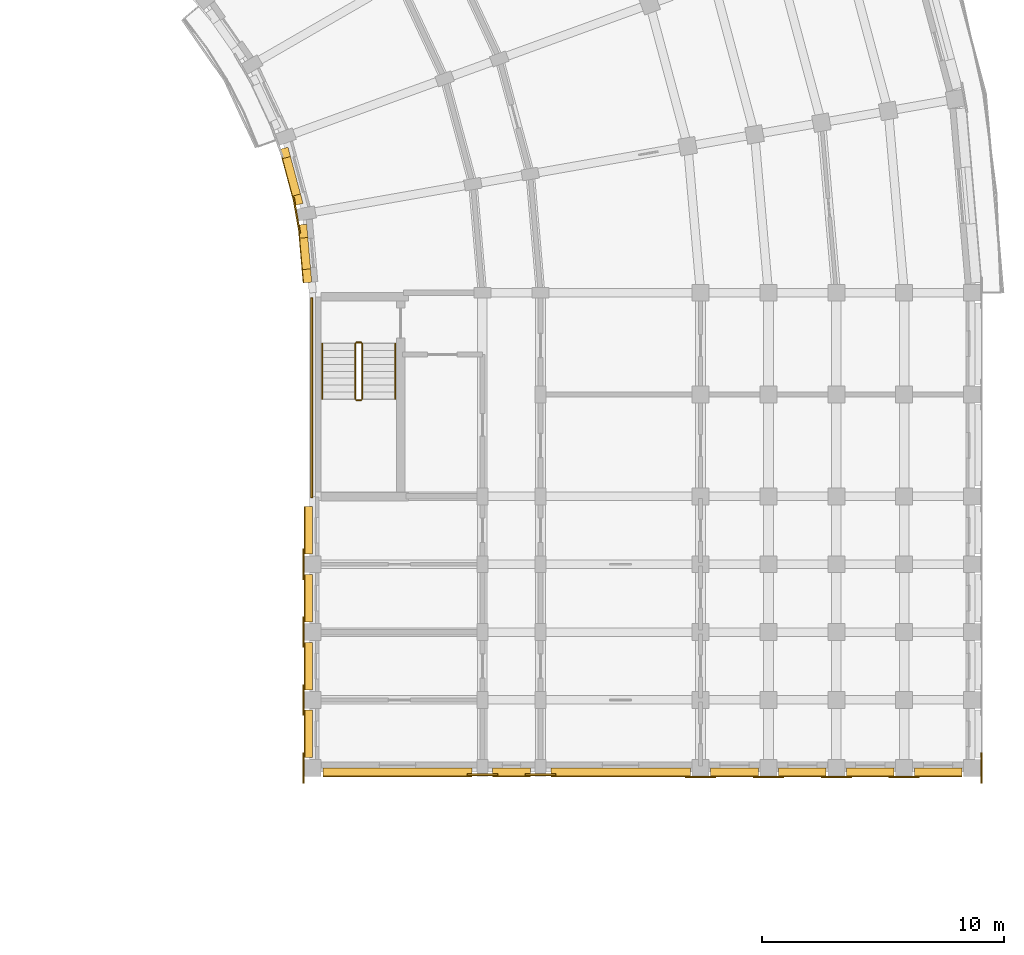
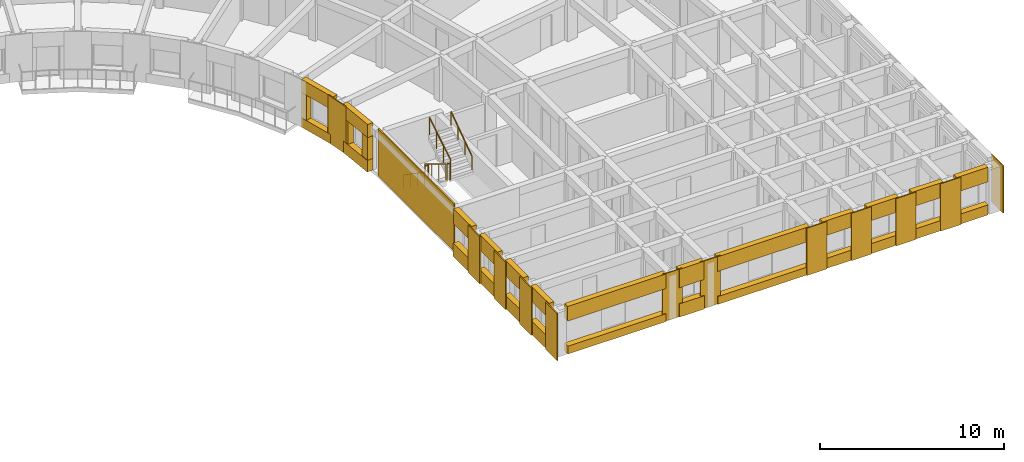
# One storey, part 53 of 57: 43 coverings, 6 railings.
"""IFC4 building model written with IfcOpenShell, lengths in metres."""

from ifc_helpers import new_model, si_unit, direction, frame, origin, origin_2d, place, context, subcontext, project, spatial, polyline, circle, outline, extrude, material, layer, layer_set, type_object, element, save


model = new_model("IFC4")

# Units and contexts
model_context = context("Model", 3, precision=1e-05, world=origin(), true_north=direction((0.0, 1.0)))
body_context = subcontext(model_context, "Body", "Model", "MODEL_VIEW")
ifc_project = project(units=[si_unit("LENGTHUNIT", "METRE"), si_unit("AREAUNIT", "SQUARE_METRE"), si_unit("VOLUMEUNIT", "CUBIC_METRE"), si_unit("PLANEANGLEUNIT", "RADIAN"), si_unit("MASSUNIT", "GRAM", prefix="KILO")], contexts=[model_context])

# Site, building, storey
site_placement = place(None, origin())
site = spatial("IfcSite", under=ifc_project, at=site_placement, CompositionType="ELEMENT")
building_placement = place(site_placement, origin())
building = spatial("IfcBuilding", under=site, at=building_placement, Name="Kiranvali Square Residences", CompositionType="ELEMENT")
storey_placement = place(building_placement, frame((0.0, 0.0, 21.300048828125)))
storey = spatial("IfcBuildingStorey", under=building, at=storey_placement, Name="L06", CompositionType="ELEMENT", Elevation=21.300048828125)

# Coverings
ifc_material_1 = material(Name="Honed Porbandar limestone ashlar facade cladding", Category="masonry")
ifc_layer_1 = layer(ifc_material_1, 0.3798828125)
ifc_layer_set_1 = layer_set([ifc_layer_1], Name="Honed Porbandar limestone ashlar facade cladding")
covering_type_1 = type_object("IfcCoveringType", Name="COV-CLAD-JAMB", PredefinedType="CLADDING", material=ifc_layer_set_1)
covering_1_placement = place(storey_placement, frame((0.0, 0.0, 0.6220703125)))
element("IfcCovering", 1, at=covering_1_placement, inside=storey, type_object=covering_type_1, Name="L06 deep limestone window jamb reveal B-L06-GDN-07.L", PredefinedType="CLADDING", context=body_context, shape_type="SweptSolid", body=[
    extrude(outline(polyline([(137.251708984375, 93.717041015625), (137.354736328125, 93.33203125), (137.682861328125, 93.419921875), (137.57958984375, 93.804931640625), (137.251708984375, 93.717041015625)])), origin(), (0.0, 0.0, 1.0), 1.64990234375),
])
covering_2_placement = place(storey_placement, frame((0.0, 0.0, 0.6220703125)))
element("IfcCovering", 2, at=covering_2_placement, inside=storey, type_object=covering_type_1, Name="L06 deep limestone window jamb reveal B-L06-GDN-07.R", PredefinedType="CLADDING", context=body_context, shape_type="SweptSolid", body=[
    extrude(outline(polyline([(137.76904296875, 91.78662109375), (137.8720703125, 91.401611328125), (138.199951171875, 91.489501953125), (138.096923828125, 91.87451171875), (137.76904296875, 91.78662109375)])), origin(), (0.0, 0.0, 1.0), 1.64990234375),
])
covering_3_placement = place(storey_placement, frame((0.0, 0.0, 0.77197265625)))
element("IfcCovering", 3, at=covering_3_placement, inside=storey, type_object=covering_type_1, Name="L06 deep limestone window jamb reveal B-L06-GDN-08.L", PredefinedType="CLADDING", context=body_context, shape_type="SweptSolid", body=[
    extrude(outline(polyline([(138.013916015625, 90.5966796875), (138.061767578125, 90.05029296875), (138.400146484375, 90.079833984375), (138.352294921875, 90.626220703125), (138.013916015625, 90.5966796875)])), origin(), (0.0, 0.0, 1.0), 1.5),
])
covering_4_placement = place(storey_placement, frame((0.0, 0.0, 0.77197265625)))
element("IfcCovering", 4, at=covering_4_placement, inside=storey, type_object=covering_type_1, Name="L06 deep limestone window jamb reveal B-L06-GDN-08.R", PredefinedType="CLADDING", context=body_context, shape_type="SweptSolid", body=[
    extrude(outline(polyline([(138.175048828125, 88.755126953125), (138.222900390625, 88.208740234375), (138.56103515625, 88.23828125), (138.513427734375, 88.78466796875), (138.175048828125, 88.755126953125)])), origin(), (0.0, 0.0, 1.0), 1.5),
])
ifc_layer_2 = layer(ifc_material_1, 0.06494140625)
ifc_layer_set_2 = layer_set([ifc_layer_2], Name="Honed Porbandar limestone ashlar facade cladding")
covering_type_2 = type_object("IfcCoveringType", Name="COV-CLAD-PIER", PredefinedType="CLADDING", material=ifc_layer_set_2)
covering_5_placement = place(storey_placement, frame((0.0, 0.0, 0.0048828125)))
element("IfcCovering", 5, at=covering_5_placement, inside=storey, type_object=covering_type_2, Name="L06 Classical limestone pilaster casing CLAD-PR-B-L06-V196", PredefinedType="CLADDING", context=body_context, shape_type="SweptSolid", body=[
    extrude(outline(polyline([(166.150390625, 68.830078125), (166.150390625, 67.570068359375), (166.218017578125, 67.570068359375), (166.218017578125, 68.830078125), (166.150390625, 68.830078125)])), origin(), (0.0, 0.0, 1.0), 3.14013671875),
])
covering_6_placement = place(storey_placement, frame((0.0, 0.0, 0.0048828125)))
element("IfcCovering", 6, at=covering_6_placement, inside=storey, type_object=covering_type_2, Name="Block B L06 Arm 2 stair limestone ashlar cladding", PredefinedType="CLADDING", context=body_context, shape_type="SweptSolid", body=[
    extrude(outline(polyline([(138.52001953125, 87.60009765625), (138.52001953125, 79.35009765625), (138.597900390625, 79.35009765625), (138.597900390625, 87.60009765625), (138.52001953125, 87.60009765625)])), origin(), (0.0, 0.0, 1.0), 3.14013671875),
])
ifc_layer_3 = layer(ifc_material_1, 0.050048828125)
ifc_layer_set_3 = layer_set([ifc_layer_3], Name="Honed Porbandar limestone ashlar facade cladding")
covering_type_3 = type_object("IfcCoveringType", Name="COV-CLAD-PIER-IN", PredefinedType="CLADDING", material=ifc_layer_set_3)
covering_7_placement = place(storey_placement, frame((0.0, 0.0, 0.0048828125)))
element("IfcCovering", 7, at=covering_7_placement, inside=storey, type_object=covering_type_3, Name="L06 Classical garden courtyard pilaster CLAD-PRIN-B-L06-A08", PredefinedType="CLADDING", context=body_context, shape_type="SweptSolid", body=[
    extrude(outline(polyline([(137.7724609375, 91.730712890625), (138.032958984375, 90.25341796875), (138.099365234375, 90.26513671875), (137.8388671875, 91.742431640625), (137.7724609375, 91.730712890625)])), origin(), (0.0, 0.0, 1.0), 3.14013671875),
])
covering_8_placement = place(storey_placement, frame((0.0, 0.0, 0.0048828125)))
element("IfcCovering", 8, at=covering_8_placement, inside=storey, type_object=covering_type_3, Name="L06 Classical limestone pilaster casing CLAD-PRA2I-B-L06-V112", PredefinedType="CLADDING", context=body_context, shape_type="SweptSolid", body=[
    extrude(outline(polyline([(138.181884765625, 77.22998046875), (138.181884765625, 75.969970703125), (138.24951171875, 75.969970703125), (138.24951171875, 77.22998046875), (138.181884765625, 77.22998046875)])), origin(), (0.0, 0.0, 1.0), 3.14013671875),
])
covering_9_placement = place(storey_placement, frame((0.0, 0.0, 0.0048828125)))
element("IfcCovering", 9, at=covering_9_placement, inside=storey, type_object=covering_type_3, Name="L06 Classical limestone pilaster casing CLAD-PRA2I-B-L06-V140", PredefinedType="CLADDING", context=body_context, shape_type="SweptSolid", body=[
    extrude(outline(polyline([(138.181884765625, 74.429931640625), (138.181884765625, 73.169921875), (138.24951171875, 73.169921875), (138.24951171875, 74.429931640625), (138.181884765625, 74.429931640625)])), origin(), (0.0, 0.0, 1.0), 3.14013671875),
])
covering_10_placement = place(storey_placement, frame((0.0, 0.0, 0.0048828125)))
element("IfcCovering", 10, at=covering_10_placement, inside=storey, type_object=covering_type_3, Name="L06 Classical limestone pilaster casing CLAD-PRA2I-B-L06-V167", PredefinedType="CLADDING", context=body_context, shape_type="SweptSolid", body=[
    extrude(outline(polyline([(138.181884765625, 71.6298828125), (138.181884765625, 70.3701171875), (138.24951171875, 70.3701171875), (138.24951171875, 71.6298828125), (138.181884765625, 71.6298828125)])), origin(), (0.0, 0.0, 1.0), 3.14013671875),
])
covering_11_placement = place(storey_placement, frame((0.0, 0.0, 0.0048828125)))
element("IfcCovering", 11, at=covering_11_placement, inside=storey, type_object=covering_type_3, Name="L06 Classical limestone pilaster casing CLAD-PRA2I-B-L06-V196", PredefinedType="CLADDING", context=body_context, shape_type="SweptSolid", body=[
    extrude(outline(polyline([(138.181884765625, 68.830078125), (138.181884765625, 67.570068359375), (138.24951171875, 67.570068359375), (138.24951171875, 68.830078125), (138.181884765625, 68.830078125)])), origin(), (0.0, 0.0, 1.0), 3.14013671875),
])
ifc_layer_4 = layer(ifc_material_1, 0.054931640625)
ifc_layer_set_4 = layer_set([ifc_layer_4], Name="Honed Porbandar limestone ashlar facade cladding")
covering_type_4 = type_object("IfcCoveringType", Name="COV-CLAD-PIER-UP", PredefinedType="CLADDING", material=ifc_layer_set_4)
covering_12_placement = place(storey_placement, frame((0.0, 0.0, 0.0048828125)))
element("IfcCovering", 12, at=covering_12_placement, inside=storey, type_object=covering_type_4, Name="L06 Classical limestone pilaster casing CLAD-PRA2E-B-L06-R258", PredefinedType="CLADDING", context=body_context, shape_type="SweptSolid", body=[
    extrude(outline(polyline([(144.969970703125, 67.882080078125), (146.22998046875, 67.882080078125), (146.22998046875, 67.949462890625), (144.969970703125, 67.949462890625), (144.969970703125, 67.882080078125)])), origin(), (0.0, 0.0, 1.0), 3.14013671875),
])
covering_13_placement = place(storey_placement, frame((0.0, 0.0, 0.0048828125)))
element("IfcCovering", 13, at=covering_13_placement, inside=storey, type_object=covering_type_4, Name="L06 Classical limestone pilaster casing CLAD-PRA2E-B-L06-R282", PredefinedType="CLADDING", context=body_context, shape_type="SweptSolid", body=[
    extrude(outline(polyline([(147.3701171875, 67.882080078125), (148.6298828125, 67.882080078125), (148.6298828125, 67.949462890625), (147.3701171875, 67.949462890625), (147.3701171875, 67.882080078125)])), origin(), (0.0, 0.0, 1.0), 3.14013671875),
])
covering_14_placement = place(storey_placement, frame((0.0, 0.0, 0.0048828125)))
element("IfcCovering", 14, at=covering_14_placement, inside=storey, type_object=covering_type_4, Name="L06 Classical limestone pilaster casing CLAD-PRA2E-B-L06-R348", PredefinedType="CLADDING", context=body_context, shape_type="SweptSolid", body=[
    extrude(outline(polyline([(153.969970703125, 67.781982421875), (155.22998046875, 67.781982421875), (155.22998046875, 67.849609375), (153.969970703125, 67.849609375), (153.969970703125, 67.781982421875)])), origin(), (0.0, 0.0, 1.0), 3.14013671875),
])
covering_15_placement = place(storey_placement, frame((0.0, 0.0, 0.0048828125)))
element("IfcCovering", 15, at=covering_15_placement, inside=storey, type_object=covering_type_4, Name="L06 Classical limestone pilaster casing CLAD-PRA2E-B-L06-R376", PredefinedType="CLADDING", context=body_context, shape_type="SweptSolid", body=[
    extrude(outline(polyline([(156.77001953125, 67.781982421875), (158.030029296875, 67.781982421875), (158.030029296875, 67.849609375), (156.77001953125, 67.849609375), (156.77001953125, 67.781982421875)])), origin(), (0.0, 0.0, 1.0), 3.14013671875),
])
covering_16_placement = place(storey_placement, frame((0.0, 0.0, 0.0048828125)))
element("IfcCovering", 16, at=covering_16_placement, inside=storey, type_object=covering_type_4, Name="L06 Classical limestone pilaster casing CLAD-PRA2E-B-L06-R404", PredefinedType="CLADDING", context=body_context, shape_type="SweptSolid", body=[
    extrude(outline(polyline([(159.570068359375, 67.781982421875), (160.830078125, 67.781982421875), (160.830078125, 67.849609375), (159.570068359375, 67.849609375), (159.570068359375, 67.781982421875)])), origin(), (0.0, 0.0, 1.0), 3.14013671875),
])
covering_17_placement = place(storey_placement, frame((0.0, 0.0, 0.0048828125)))
element("IfcCovering", 17, at=covering_17_placement, inside=storey, type_object=covering_type_4, Name="L06 Classical limestone pilaster casing CLAD-PRA2E-B-L06-R432", PredefinedType="CLADDING", context=body_context, shape_type="SweptSolid", body=[
    extrude(outline(polyline([(162.3701171875, 67.781982421875), (163.6298828125, 67.781982421875), (163.6298828125, 67.849609375), (162.3701171875, 67.849609375), (162.3701171875, 67.781982421875)])), origin(), (0.0, 0.0, 1.0), 3.14013671875),
])
ifc_layer_5 = layer(ifc_material_1, 0.360107421875)
ifc_layer_set_5 = layer_set([ifc_layer_5], Name="Honed Porbandar limestone ashlar facade cladding")
covering_type_5 = type_object("IfcCoveringType", Name="COV-CLAD-WALL", PredefinedType="CLADDING", material=ifc_layer_set_5)
covering_18_placement = place(storey_placement, frame((0.0, 0.0, 2.27197265625)))
element("IfcCovering", 18, at=covering_18_placement, inside=storey, type_object=covering_type_5, Name="L06 light limestone spandrel lintel B-L06-GDN-07", PredefinedType="CLADDING", context=body_context, shape_type="SweptSolid", body=[
    extrude(outline(polyline([(137.251708984375, 93.717041015625), (137.8720703125, 91.401611328125), (138.199951171875, 91.489501953125), (137.57958984375, 93.804931640625), (137.251708984375, 93.717041015625)])), origin(), (0.0, 0.0, 1.0), 0.873046875),
])
covering_19_placement = place(storey_placement, frame((0.0, 0.0, 2.27197265625)))
element("IfcCovering", 19, at=covering_19_placement, inside=storey, type_object=covering_type_5, Name="L06 light limestone spandrel lintel B-L06-GDN-08", PredefinedType="CLADDING", context=body_context, shape_type="SweptSolid", body=[
    extrude(outline(polyline([(138.013916015625, 90.5966796875), (138.222900390625, 88.208740234375), (138.56103515625, 88.23828125), (138.352294921875, 90.626220703125), (138.013916015625, 90.5966796875)])), origin(), (0.0, 0.0, 1.0), 0.873046875),
])
covering_20_placement = place(storey_placement, frame((0.0, 0.0, 2.1298828125)))
element("IfcCovering", 20, at=covering_20_placement, inside=storey, type_object=covering_type_5, Name="L06 light limestone spandrel lintel B-L06-A2I-0", PredefinedType="CLADDING", context=body_context, shape_type="SweptSolid", body=[
    extrude(outline(polyline([(138.280029296875, 78.97998046875), (138.280029296875, 77.02001953125), (138.599609375, 77.02001953125), (138.599609375, 78.97998046875), (138.280029296875, 78.97998046875)])), origin(), (0.0, 0.0, 1.0), 1.01513671875),
])
covering_21_placement = place(storey_placement, frame((0.0, 0.0, 0.0048828125)))
element("IfcCovering", 21, at=covering_21_placement, inside=storey, type_object=covering_type_5, Name="L06 limestone window sill apron B-L06-A2I-0", PredefinedType="CLADDING", context=body_context, shape_type="SweptSolid", body=[
    extrude(outline(polyline([(138.25, 78.97998046875), (138.25, 77.02001953125), (138.599609375, 77.02001953125), (138.599609375, 78.97998046875), (138.25, 78.97998046875)])), origin(), (0.0, 0.0, 1.0), 0.875),
])
covering_22_placement = place(storey_placement, frame((0.0, 0.0, 2.1298828125)))
element("IfcCovering", 22, at=covering_22_placement, inside=storey, type_object=covering_type_5, Name="L06 light limestone spandrel lintel B-L06-A2I-1", PredefinedType="CLADDING", context=body_context, shape_type="SweptSolid", body=[
    extrude(outline(polyline([(138.280029296875, 76.179931640625), (138.280029296875, 74.219970703125), (138.599609375, 74.219970703125), (138.599609375, 76.179931640625), (138.280029296875, 76.179931640625)])), origin(), (0.0, 0.0, 1.0), 1.01513671875),
])
covering_23_placement = place(storey_placement, frame((0.0, 0.0, 0.0048828125)))
element("IfcCovering", 23, at=covering_23_placement, inside=storey, type_object=covering_type_5, Name="L06 limestone window sill apron B-L06-A2I-1", PredefinedType="CLADDING", context=body_context, shape_type="SweptSolid", body=[
    extrude(outline(polyline([(138.25, 76.179931640625), (138.25, 74.219970703125), (138.599609375, 74.219970703125), (138.599609375, 76.179931640625), (138.25, 76.179931640625)])), origin(), (0.0, 0.0, 1.0), 0.875),
])
covering_24_placement = place(storey_placement, frame((0.0, 0.0, 2.1298828125)))
element("IfcCovering", 24, at=covering_24_placement, inside=storey, type_object=covering_type_5, Name="L06 light limestone spandrel lintel B-L06-A2I-2", PredefinedType="CLADDING", context=body_context, shape_type="SweptSolid", body=[
    extrude(outline(polyline([(138.280029296875, 73.3798828125), (138.280029296875, 71.419921875), (138.599609375, 71.419921875), (138.599609375, 73.3798828125), (138.280029296875, 73.3798828125)])), origin(), (0.0, 0.0, 1.0), 1.01513671875),
])
covering_25_placement = place(storey_placement, frame((0.0, 0.0, 0.0048828125)))
element("IfcCovering", 25, at=covering_25_placement, inside=storey, type_object=covering_type_5, Name="L06 limestone window sill apron B-L06-A2I-2", PredefinedType="CLADDING", context=body_context, shape_type="SweptSolid", body=[
    extrude(outline(polyline([(138.25, 73.3798828125), (138.25, 71.419921875), (138.599609375, 71.419921875), (138.599609375, 73.3798828125), (138.25, 73.3798828125)])), origin(), (0.0, 0.0, 1.0), 0.875),
])
covering_26_placement = place(storey_placement, frame((0.0, 0.0, 2.1298828125)))
element("IfcCovering", 26, at=covering_26_placement, inside=storey, type_object=covering_type_5, Name="L06 light limestone spandrel lintel B-L06-A2I-3", PredefinedType="CLADDING", context=body_context, shape_type="SweptSolid", body=[
    extrude(outline(polyline([(138.280029296875, 70.580078125), (138.280029296875, 68.6201171875), (138.599609375, 68.6201171875), (138.599609375, 70.580078125), (138.280029296875, 70.580078125)])), origin(), (0.0, 0.0, 1.0), 1.01513671875),
])
covering_27_placement = place(storey_placement, frame((0.0, 0.0, 0.0048828125)))
element("IfcCovering", 27, at=covering_27_placement, inside=storey, type_object=covering_type_5, Name="L06 limestone window sill apron B-L06-A2I-3", PredefinedType="CLADDING", context=body_context, shape_type="SweptSolid", body=[
    extrude(outline(polyline([(138.25, 70.580078125), (138.25, 68.6201171875), (138.599609375, 68.6201171875), (138.599609375, 70.580078125), (138.25, 70.580078125)])), origin(), (0.0, 0.0, 1.0), 0.875),
])
covering_28_placement = place(storey_placement, frame((0.0, 0.0, 2.171875)))
element("IfcCovering", 28, at=covering_28_placement, inside=storey, type_object=covering_type_5, Name="L06 light limestone spandrel lintel B-L06-A2END-0", PredefinedType="CLADDING", context=body_context, shape_type="SweptSolid", body=[
    extrude(outline(polyline([(139.02001953125, 67.860107421875), (145.179931640625, 67.860107421875), (145.179931640625, 68.199462890625), (139.02001953125, 68.199462890625), (139.02001953125, 67.860107421875)])), origin(), (0.0, 0.0, 1.0), 0.97314453125),
])
covering_29_placement = place(storey_placement, frame((0.0, 0.0, 0.0048828125)))
element("IfcCovering", 29, at=covering_29_placement, inside=storey, type_object=covering_type_5, Name="L06 limestone window sill apron B-L06-A2END-0", PredefinedType="CLADDING", context=body_context, shape_type="SweptSolid", body=[
    extrude(outline(polyline([(139.02001953125, 67.830078125), (145.179931640625, 67.830078125), (145.179931640625, 68.199462890625), (139.02001953125, 68.199462890625), (139.02001953125, 67.830078125)])), origin(), (0.0, 0.0, 1.0), 0.51708984375),
])
covering_30_placement = place(storey_placement, frame((0.0, 0.0, 1.929931640625)))
element("IfcCovering", 30, at=covering_30_placement, inside=storey, type_object=covering_type_5, Name="L06 light limestone spandrel lintel B-L06-A2END-1", PredefinedType="CLADDING", context=body_context, shape_type="SweptSolid", body=[
    extrude(outline(polyline([(146.02001953125, 67.860107421875), (147.580078125, 67.860107421875), (147.580078125, 68.199462890625), (146.02001953125, 68.199462890625), (146.02001953125, 67.860107421875)])), origin(), (0.0, 0.0, 1.0), 1.215087890625),
])
covering_31_placement = place(storey_placement, frame((0.0, 0.0, 0.0048828125)))
element("IfcCovering", 31, at=covering_31_placement, inside=storey, type_object=covering_type_5, Name="L06 limestone window sill apron B-L06-A2END-1", PredefinedType="CLADDING", context=body_context, shape_type="SweptSolid", body=[
    extrude(outline(polyline([(146.02001953125, 67.830078125), (147.580078125, 67.830078125), (147.580078125, 68.199462890625), (146.02001953125, 68.199462890625), (146.02001953125, 67.830078125)])), origin(), (0.0, 0.0, 1.0), 0.875),
])
covering_32_placement = place(storey_placement, frame((0.0, 0.0, 2.171875)))
element("IfcCovering", 32, at=covering_32_placement, inside=storey, type_object=covering_type_5, Name="L06 light limestone spandrel lintel B-L06-A2END-2", PredefinedType="CLADDING", context=body_context, shape_type="SweptSolid", body=[
    extrude(outline(polyline([(148.419921875, 67.860107421875), (154.179931640625, 67.860107421875), (154.179931640625, 68.199462890625), (148.419921875, 68.199462890625), (148.419921875, 67.860107421875)])), origin(), (0.0, 0.0, 1.0), 0.97314453125),
])
covering_33_placement = place(storey_placement, frame((0.0, 0.0, 0.0048828125)))
element("IfcCovering", 33, at=covering_33_placement, inside=storey, type_object=covering_type_5, Name="L06 limestone window sill apron B-L06-A2END-2", PredefinedType="CLADDING", context=body_context, shape_type="SweptSolid", body=[
    extrude(outline(polyline([(148.419921875, 67.830078125), (154.179931640625, 67.830078125), (154.179931640625, 68.199462890625), (148.419921875, 68.199462890625), (148.419921875, 67.830078125)])), origin(), (0.0, 0.0, 1.0), 0.51708984375),
])
covering_34_placement = place(storey_placement, frame((0.0, 0.0, 2.171875)))
element("IfcCovering", 34, at=covering_34_placement, inside=storey, type_object=covering_type_5, Name="L06 light limestone spandrel lintel B-L06-A2END-3", PredefinedType="CLADDING", context=body_context, shape_type="SweptSolid", body=[
    extrude(outline(polyline([(155.02001953125, 67.860107421875), (156.97998046875, 67.860107421875), (156.97998046875, 68.199462890625), (155.02001953125, 68.199462890625), (155.02001953125, 67.860107421875)])), origin(), (0.0, 0.0, 1.0), 0.97314453125),
])
covering_35_placement = place(storey_placement, frame((0.0, 0.0, 0.0048828125)))
element("IfcCovering", 35, at=covering_35_placement, inside=storey, type_object=covering_type_5, Name="L06 limestone window sill apron B-L06-A2END-3", PredefinedType="CLADDING", context=body_context, shape_type="SweptSolid", body=[
    extrude(outline(polyline([(155.02001953125, 67.830078125), (156.97998046875, 67.830078125), (156.97998046875, 68.199462890625), (155.02001953125, 68.199462890625), (155.02001953125, 67.830078125)])), origin(), (0.0, 0.0, 1.0), 0.6669921875),
])
covering_36_placement = place(storey_placement, frame((0.0, 0.0, 2.171875)))
element("IfcCovering", 36, at=covering_36_placement, inside=storey, type_object=covering_type_5, Name="L06 light limestone spandrel lintel B-L06-A2END-4", PredefinedType="CLADDING", context=body_context, shape_type="SweptSolid", body=[
    extrude(outline(polyline([(157.820068359375, 67.860107421875), (159.780029296875, 67.860107421875), (159.780029296875, 68.199462890625), (157.820068359375, 68.199462890625), (157.820068359375, 67.860107421875)])), origin(), (0.0, 0.0, 1.0), 0.97314453125),
])
covering_37_placement = place(storey_placement, frame((0.0, 0.0, 0.0048828125)))
element("IfcCovering", 37, at=covering_37_placement, inside=storey, type_object=covering_type_5, Name="L06 limestone window sill apron B-L06-A2END-4", PredefinedType="CLADDING", context=body_context, shape_type="SweptSolid", body=[
    extrude(outline(polyline([(157.820068359375, 67.830078125), (159.780029296875, 67.830078125), (159.780029296875, 68.199462890625), (157.820068359375, 68.199462890625), (157.820068359375, 67.830078125)])), origin(), (0.0, 0.0, 1.0), 0.6669921875),
])
covering_38_placement = place(storey_placement, frame((0.0, 0.0, 2.171875)))
element("IfcCovering", 38, at=covering_38_placement, inside=storey, type_object=covering_type_5, Name="L06 light limestone spandrel lintel B-L06-A2END-5", PredefinedType="CLADDING", context=body_context, shape_type="SweptSolid", body=[
    extrude(outline(polyline([(160.6201171875, 67.860107421875), (162.580078125, 67.860107421875), (162.580078125, 68.199462890625), (160.6201171875, 68.199462890625), (160.6201171875, 67.860107421875)])), origin(), (0.0, 0.0, 1.0), 0.97314453125),
])
covering_39_placement = place(storey_placement, frame((0.0, 0.0, 0.0048828125)))
element("IfcCovering", 39, at=covering_39_placement, inside=storey, type_object=covering_type_5, Name="L06 limestone window sill apron B-L06-A2END-5", PredefinedType="CLADDING", context=body_context, shape_type="SweptSolid", body=[
    extrude(outline(polyline([(160.6201171875, 67.830078125), (162.580078125, 67.830078125), (162.580078125, 68.199462890625), (160.6201171875, 68.199462890625), (160.6201171875, 67.830078125)])), origin(), (0.0, 0.0, 1.0), 0.6669921875),
])
covering_40_placement = place(storey_placement, frame((0.0, 0.0, 2.171875)))
element("IfcCovering", 40, at=covering_40_placement, inside=storey, type_object=covering_type_5, Name="L06 light limestone spandrel lintel B-L06-A2END-6", PredefinedType="CLADDING", context=body_context, shape_type="SweptSolid", body=[
    extrude(outline(polyline([(163.419921875, 67.860107421875), (165.3798828125, 67.860107421875), (165.3798828125, 68.199462890625), (163.419921875, 68.199462890625), (163.419921875, 67.860107421875)])), origin(), (0.0, 0.0, 1.0), 0.97314453125),
])
covering_41_placement = place(storey_placement, frame((0.0, 0.0, 0.0048828125)))
element("IfcCovering", 41, at=covering_41_placement, inside=storey, type_object=covering_type_5, Name="L06 limestone window sill apron B-L06-A2END-6", PredefinedType="CLADDING", context=body_context, shape_type="SweptSolid", body=[
    extrude(outline(polyline([(163.419921875, 67.830078125), (165.3798828125, 67.830078125), (165.3798828125, 68.199462890625), (163.419921875, 68.199462890625), (163.419921875, 67.830078125)])), origin(), (0.0, 0.0, 1.0), 0.6669921875),
])
ifc_layer_6 = layer(ifc_material_1, 0.2900390625)
ifc_layer_set_6 = layer_set([ifc_layer_6], Name="Honed Porbandar limestone ashlar facade cladding")
covering_type_6 = type_object("IfcCoveringType", Name="COV-CLAD-WALL-IN", PredefinedType="CLADDING", material=ifc_layer_set_6)
covering_42_placement = place(storey_placement, frame((0.0, 0.0, 0.0048828125)))
element("IfcCovering", 42, at=covering_42_placement, inside=storey, type_object=covering_type_6, Name="L06 limestone window sill apron B-L06-GDN-07", PredefinedType="CLADDING", context=body_context, shape_type="SweptSolid", body=[
    extrude(outline(polyline([(137.22265625, 93.709228515625), (137.843017578125, 91.393798828125), (138.199951171875, 91.489501953125), (137.57958984375, 93.804931640625), (137.22265625, 93.709228515625)])), origin(), (0.0, 0.0, 1.0), 0.6171875),
])
covering_43_placement = place(storey_placement, frame((0.0, 0.0, 0.0048828125)))
element("IfcCovering", 43, at=covering_43_placement, inside=storey, type_object=covering_type_6, Name="L06 limestone window sill apron B-L06-GDN-08", PredefinedType="CLADDING", context=body_context, shape_type="SweptSolid", body=[
    extrude(outline(polyline([(137.984130859375, 90.593994140625), (138.193115234375, 88.2060546875), (138.56103515625, 88.23828125), (138.352294921875, 90.626220703125), (137.984130859375, 90.593994140625)])), origin(), (0.0, 0.0, 1.0), 0.76708984375),
])

# Railings
ifc_material_2 = material(Name="Brushed stainless steel tubular handrail", Category="steel")
railing_type_1 = type_object("IfcRailingType", Name="RL-HANDRAIL-900", PredefinedType="HANDRAIL", material=ifc_material_2)
railing_1_placement = place(storey_placement, frame((139.0, 85.699951171875, 0.175048828125)))
element("IfcRailing", 44, at=railing_1_placement, inside=storey, type_object=railing_type_1, Name="L06 ST-B3 stair handrail 1", PredefinedType="HANDRAIL", context=body_context, shape_type="SweptSolid", body=[
    extrude(circle(Radius=0.02392578125, at=origin_2d()), frame((0.0, 0.0, 0.8759765625), z_axis=(0.0, -0.82278801735, 0.568348377763), x_axis=(1.0, 0.0, 0.0)), (0.0, 0.0, 1.0), 2.77099609375),
    extrude(circle(Radius=0.02099609375, at=origin_2d()), origin(), (0.0, 0.0, 1.0), 0.851806640625),
    extrude(circle(Radius=0.02099609375, at=origin_2d()), frame((0.0, -0.760009765625, 0.52490234375)), (0.0, 0.0, 1.0), 0.851806640625),
    extrude(circle(Radius=0.02099609375, at=origin_2d()), frame((0.0, -1.52001953125, 1.050048828125)), (0.0, 0.0, 1.0), 0.851806640625),
    extrude(circle(Radius=0.02099609375, at=origin_2d()), frame((0.0, -2.280029296875, 1.574951171875)), (0.0, 0.0, 1.0), 0.851806640625),
])
railing_2_placement = place(storey_placement, frame((142.0, 83.419921875, 1.75)))
element("IfcRailing", 45, at=railing_2_placement, inside=storey, type_object=railing_type_1, Name="L06 ST-B3 stair handrail 2", PredefinedType="HANDRAIL", context=body_context, shape_type="SweptSolid", body=[
    extrude(circle(Radius=0.02392578125, at=origin_2d()), frame((0.0, 0.0, 0.8759765625), z_axis=(0.0, 0.82278801735, 0.568348377763), x_axis=(-1.0, 0.0, 0.0)), (0.0, 0.0, 1.0), 2.77099609375),
    extrude(circle(Radius=0.02099609375, at=origin_2d()), origin(), (0.0, 0.0, 1.0), 0.851806640625),
    extrude(circle(Radius=0.02099609375, at=origin_2d()), frame((0.0, 0.760009765625, 0.52490234375)), (0.0, 0.0, 1.0), 0.851806640625),
    extrude(circle(Radius=0.02099609375, at=origin_2d()), frame((0.0, 1.52001953125, 1.050048828125)), (0.0, 0.0, 1.0), 0.851806640625),
    extrude(circle(Radius=0.02099609375, at=origin_2d()), frame((0.0, 2.280029296875, 1.574951171875)), (0.0, 0.0, 1.0), 0.851806640625),
])
ifc_material_3 = material(Name="Powder-coated architectural bronze balustrade", Category="steel")
railing_type_2 = type_object("IfcRailingType", Name="RL-ST-GUARD-1200", PredefinedType="GUARDRAIL", material=ifc_material_3)
railing_3_placement = place(storey_placement, frame((140.35009765625, 85.699951171875, 0.175048828125)))
element("IfcRailing", 46, at=railing_3_placement, inside=storey, type_object=railing_type_2, Name="L06 ST-B3 stair guard 1", PredefinedType="GUARDRAIL", context=body_context, shape_type="SweptSolid", body=[
    extrude(circle(Radius=0.02392578125, at=origin_2d()), frame((0.0, 0.0, 1.1259765625), z_axis=(0.0, -0.852190499154, 0.523231643875), x_axis=(1.0, 0.0, 0.0)), (0.0, 0.0, 1.0), 2.675537109375),
    extrude(circle(Radius=0.02099609375, at=origin_2d()), origin(), (0.0, 0.0, 1.0), 1.101806640625),
    extrude(circle(Radius=0.02099609375, at=origin_2d()), frame((0.0, -0.760009765625, 0.466552734375)), (0.0, 0.0, 1.0), 1.101806640625),
    extrude(circle(Radius=0.02099609375, at=origin_2d()), frame((0.0, -1.52001953125, 0.933349609375)), (0.0, 0.0, 1.0), 1.101806640625),
    extrude(circle(Radius=0.02099609375, at=origin_2d()), frame((0.0, -2.280029296875, 1.39990234375)), (0.0, 0.0, 1.0), 1.101806640625),
])
railing_4_placement = place(storey_placement, frame((140.39990234375, 83.3701171875, 1.574951171875)))
element("IfcRailing", 47, at=railing_4_placement, inside=storey, type_object=railing_type_2, Name="L06 ST-B3 stair guard 2", PredefinedType="GUARDRAIL", context=body_context, shape_type="SweptSolid", body=[
    extrude(circle(Radius=0.02392578125, at=origin_2d()), frame((0.0, 0.0, 1.1259765625), z_axis=(1.0, 0.0, 0.0), x_axis=(0.0, 1.0, 0.0)), (0.0, 0.0, 1.0), 0.2001953125),
    extrude(circle(Radius=0.02099609375, at=origin_2d()), origin(), (0.0, 0.0, 1.0), 1.101806640625),
    extrude(circle(Radius=0.02099609375, at=origin_2d()), frame((0.2001953125, 0.0, 0.0)), (0.0, 0.0, 1.0), 1.101806640625),
])
railing_5_placement = place(storey_placement, frame((140.64990234375, 83.419921875, 1.75)))
element("IfcRailing", 48, at=railing_5_placement, inside=storey, type_object=railing_type_2, Name="L06 ST-B3 stair guard 3", PredefinedType="GUARDRAIL", context=body_context, shape_type="SweptSolid", body=[
    extrude(circle(Radius=0.02392578125, at=origin_2d()), frame((0.0, 0.0, 1.1259765625), z_axis=(0.0, 0.852190499154, 0.523231643875), x_axis=(-1.0, 0.0, 0.0)), (0.0, 0.0, 1.0), 2.675537109375),
    extrude(circle(Radius=0.02099609375, at=origin_2d()), origin(), (0.0, 0.0, 1.0), 1.101806640625),
    extrude(circle(Radius=0.02099609375, at=origin_2d()), frame((0.0, 0.760009765625, 0.466552734375)), (0.0, 0.0, 1.0), 1.101806640625),
    extrude(circle(Radius=0.02099609375, at=origin_2d()), frame((0.0, 1.52001953125, 0.933349609375)), (0.0, 0.0, 1.0), 1.101806640625),
    extrude(circle(Radius=0.02099609375, at=origin_2d()), frame((0.0, 2.280029296875, 1.39990234375)), (0.0, 0.0, 1.0), 1.101806640625),
])
railing_6_placement = place(storey_placement, frame((140.39990234375, 85.75, 0.0)))
element("IfcRailing", 49, at=railing_6_placement, inside=storey, type_object=railing_type_2, Name="L06 ST-B3 stair guard 4", PredefinedType="GUARDRAIL", context=body_context, shape_type="SweptSolid", body=[
    extrude(circle(Radius=0.02392578125, at=origin_2d()), frame((0.0, 0.0, 1.1259765625), z_axis=(1.0, 0.0, 0.0), x_axis=(0.0, 1.0, 0.0)), (0.0, 0.0, 1.0), 0.2001953125),
    extrude(circle(Radius=0.02099609375, at=origin_2d()), origin(), (0.0, 0.0, 1.0), 1.101806640625),
    extrude(circle(Radius=0.02099609375, at=origin_2d()), frame((0.2001953125, 0.0, 0.0)), (0.0, 0.0, 1.0), 1.101806640625),
])

save(model, "model.ifc")
